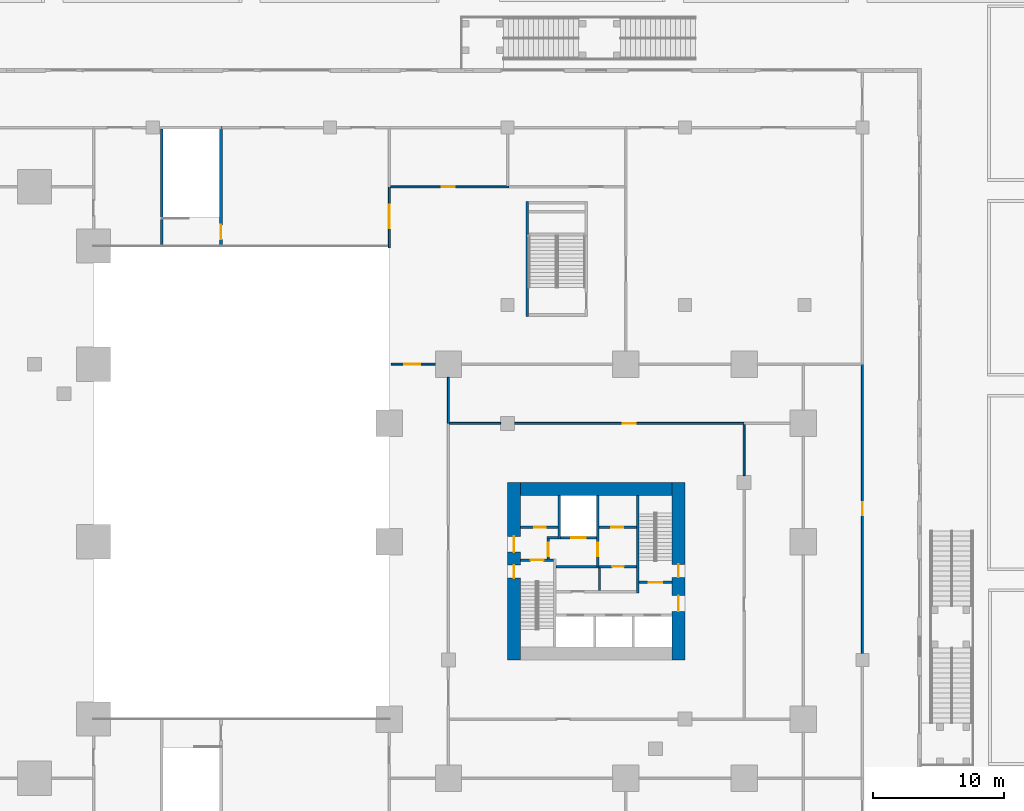
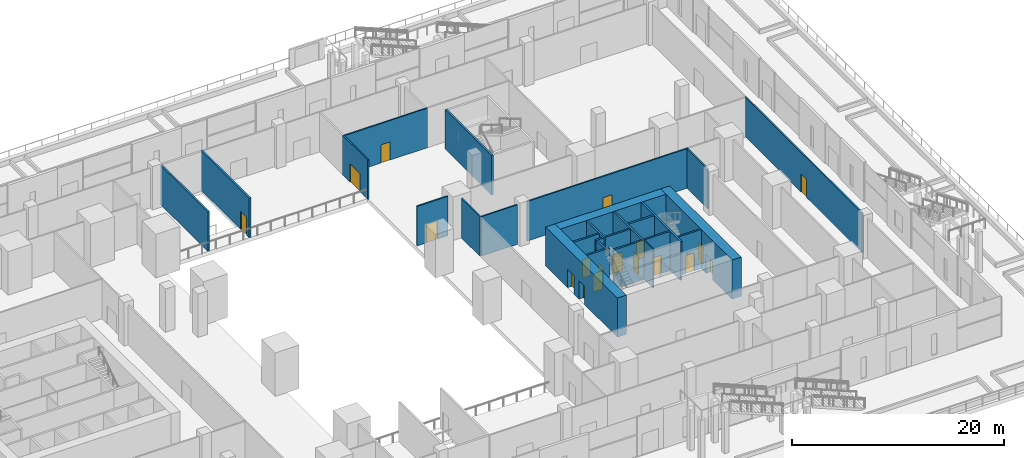
# One storey, part 36 of 49: 26 walls, 18 doors, 18 openings.
"""IFC4 building model written with IfcOpenShell, lengths in metres."""

from ifc_helpers import new_model, si_unit, direction, frame, frame_2d, origin, place, context, subcontext, project, spatial, rectangle, extrude, material, layer, layer_set, type_object, element, fill, save


model = new_model("IFC4")

# Units and contexts
model_context = context("Model", 3, precision=1e-05, world=origin(), true_north=direction((0.0, 1.0)))
body_context = subcontext(model_context, "Body", "Model", "MODEL_VIEW")
ifc_project = project(units=[si_unit("LENGTHUNIT", "METRE"), si_unit("AREAUNIT", "SQUARE_METRE"), si_unit("VOLUMEUNIT", "CUBIC_METRE"), si_unit("PLANEANGLEUNIT", "RADIAN"), si_unit("MASSUNIT", "GRAM", prefix="KILO")], contexts=[model_context])

# Site, building, storey
site_placement = place(None, origin())
site = spatial("IfcSite", under=ifc_project, at=site_placement, CompositionType="ELEMENT")
building_placement = place(site_placement, origin())
building = spatial("IfcBuilding", under=site, at=building_placement, Name="Altepetl Exchange Towers", CompositionType="ELEMENT")
storey_placement = place(building_placement, frame((0.0, 0.0, 11.5)))
storey = spatial("IfcBuildingStorey", under=building, at=storey_placement, Name="L02 Exchange podium", CompositionType="ELEMENT", Elevation=11.5)

# Wall, openings, doors
ifc_material_1 = material(Name="Concrete C70/85", Category="concrete")
ifc_layer_1 = layer(ifc_material_1, 1.0)
ifc_layer_set_1 = layer_set([ifc_layer_1], Name="Concrete C70/85")
wall_type_1 = type_object("IfcWallType", Name="Core wall 1000 reinforced concrete", PredefinedType="SHEAR", material=ifc_layer_set_1)
wall_1_placement = place(storey_placement, frame((116.5, 36.0, 0.0), z_axis=(0.0, 0.0, 1.0), x_axis=(0.0, 1.0, 0.0)))
wall_1 = element("IfcWall", 1, at=wall_1_placement, inside=storey, type_object=wall_type_1, Name="wall:B:L02:K-coreE", PredefinedType="SHEAR", context=body_context, shape_type="SweptSolid", body=[
    extrude(rectangle(XDim=13.5, YDim=1.0, at=frame_2d((6.75, 0.0))), origin(), (0.0, 0.0, 1.0), 4.5),
])
opening_1_placement = place(wall_1_placement, frame((3.699951171875, 0.0, 0.0)))
opening_1 = element("IfcOpeningElement", 2, at=opening_1_placement, cuts=wall_1, Name="Opening L02.B61", PredefinedType="OPENING", context=body_context, shape_type="SweptSolid", body=[
    extrude(rectangle(XDim=1.199951171875, YDim=2.10009765625, at=frame_2d((0.60009765625, 1.050048828125))), frame((0.0, 0.510009765625, 0.0), z_axis=(0.0, -1.0, 0.0), x_axis=(1.0, 0.0, 0.0)), (0.0, 0.0, 1.0), 1.02001953125),
])
opening_2_placement = place(wall_1_placement, frame((6.27490234375, 0.0, 0.0)))
opening_2 = element("IfcOpeningElement", 3, at=opening_2_placement, cuts=wall_1, Name="Opening L02.B65", PredefinedType="OPENING", context=body_context, shape_type="SweptSolid", body=[
    extrude(rectangle(XDim=1.0, YDim=2.10009765625, at=frame_2d((0.5, 1.050048828125))), frame((0.0, 0.510009765625, 0.0), z_axis=(0.0, -1.0, 0.0), x_axis=(1.0, 0.0, 0.0)), (0.0, 0.0, 1.0), 1.02001953125),
])
ifc_material_2 = material(Name="Steel and timber fire door", Category="steel")
door_type_1 = type_object("IfcDoorType", Name="Fire door 1000 x 2100 stair and lobby", OperationType="SINGLE_SWING_LEFT", PredefinedType="DOOR", material=ifc_material_2)
door_1_placement = place(opening_2_placement, origin())
door_1 = element("IfcDoor", 4, at=door_1_placement, inside=storey, type_object=door_type_1, Name="door:B:L02:K-dS2x", OperationType="SINGLE_SWING_LEFT", OverallHeight=2.10009765625, OverallWidth=1.0, PredefinedType="DOOR", context=body_context, shape_type="SweptSolid", body=[
    extrude(rectangle(XDim=1.0, YDim=2.10009765625, at=frame_2d((0.5, 1.050048828125))), frame((0.0, 0.02490234375, 0.0), z_axis=(0.0, -1.0, 0.0), x_axis=(1.0, 0.0, 0.0)), (0.0, 0.0, 1.0), 0.050048828125),
])
fill(opening_2, door_1)
door_type_2 = type_object("IfcDoorType", Name="Fire door 1200 x 2100 lobby entry", OperationType="SINGLE_SWING_LEFT", PredefinedType="DOOR", material=ifc_material_2)
door_2_placement = place(opening_1_placement, origin())
door_2 = element("IfcDoor", 5, at=door_2_placement, inside=storey, type_object=door_type_2, Name="door:B:L02:K-dLSE", OperationType="SINGLE_SWING_RIGHT", OverallHeight=2.10009765625, OverallWidth=1.199951171875, PredefinedType="DOOR", context=body_context, shape_type="SweptSolid", body=[
    extrude(rectangle(XDim=1.199951171875, YDim=2.10009765625, at=frame_2d((0.60009765625, 1.050048828125))), frame((0.0, 0.02490234375, 0.0), z_axis=(0.0, -1.0, 0.0), x_axis=(1.0, 0.0, 0.0)), (0.0, 0.0, 1.0), 0.050048828125),
])
fill(opening_1, door_2)

# Wall
wall_2_placement = place(storey_placement, frame((104.5, 49.0, 0.0)))
element("IfcWall", 6, at=wall_2_placement, inside=storey, type_object=wall_type_1, Name="wall:B:L02:K-coreN", PredefinedType="SHEAR", context=body_context, shape_type="SweptSolid", body=[
    extrude(rectangle(XDim=11.5, YDim=1.0, at=frame_2d((5.75, 0.0))), origin(), (0.0, 0.0, 1.0), 4.5),
])

# Wall, openings, doors
wall_3_placement = place(storey_placement, frame((104.0, 36.0, 0.0), z_axis=(0.0, 0.0, 1.0), x_axis=(0.0, 1.0, 0.0)))
wall_3 = element("IfcWall", 7, at=wall_3_placement, inside=storey, type_object=wall_type_1, Name="wall:B:L02:K-coreW", PredefinedType="SHEAR", context=body_context, shape_type="SweptSolid", body=[
    extrude(rectangle(XDim=13.5, YDim=1.0, at=frame_2d((6.75, 0.0))), origin(), (0.0, 0.0, 1.0), 4.5),
])
opening_3_placement = place(wall_3_placement, frame((8.199951171875, 0.0, 0.0)))
opening_3 = element("IfcOpeningElement", 8, at=opening_3_placement, cuts=wall_3, Name="Opening L02.B60", PredefinedType="OPENING", context=body_context, shape_type="SweptSolid", body=[
    extrude(rectangle(XDim=1.199951171875, YDim=2.10009765625, at=frame_2d((0.60009765625, 1.050048828125))), frame((0.0, 0.510009765625, 0.0), z_axis=(0.0, -1.0, 0.0), x_axis=(1.0, 0.0, 0.0)), (0.0, 0.0, 1.0), 1.02001953125),
])
opening_4_placement = place(wall_3_placement, frame((6.22509765625, 0.0, 0.0)))
opening_4 = element("IfcOpeningElement", 9, at=opening_4_placement, cuts=wall_3, Name="Opening L02.B63", PredefinedType="OPENING", context=body_context, shape_type="SweptSolid", body=[
    extrude(rectangle(XDim=1.0, YDim=2.10009765625, at=frame_2d((0.5, 1.050048828125))), frame((0.0, 0.510009765625, 0.0), z_axis=(0.0, -1.0, 0.0), x_axis=(1.0, 0.0, 0.0)), (0.0, 0.0, 1.0), 1.02001953125),
])
door_3_placement = place(opening_4_placement, frame((1.0, 0.0, 0.0), x_axis=(-1.0, 0.0, 0.0)))
door_3 = element("IfcDoor", 10, at=door_3_placement, inside=storey, type_object=door_type_1, Name="door:B:L02:K-dS1x", OperationType="SINGLE_SWING_RIGHT", OverallHeight=2.10009765625, OverallWidth=1.0, PredefinedType="DOOR", context=body_context, shape_type="SweptSolid", body=[
    extrude(rectangle(XDim=1.0, YDim=2.10009765625, at=frame_2d((0.5, 1.050048828125))), frame((0.0, 0.02490234375, 0.0), z_axis=(0.0, -1.0, 0.0), x_axis=(1.0, 0.0, 0.0)), (0.0, 0.0, 1.0), 0.050048828125),
])
fill(opening_4, door_3)
door_4_placement = place(opening_3_placement, frame((1.199951171875, 0.0, 0.0), x_axis=(-1.0, 0.0, 0.0)))
door_4 = element("IfcDoor", 11, at=door_4_placement, inside=storey, type_object=door_type_2, Name="door:B:L02:K-dLNW", OperationType="SINGLE_SWING_RIGHT", OverallHeight=2.10009765625, OverallWidth=1.199951171875, PredefinedType="DOOR", context=body_context, shape_type="SweptSolid", body=[
    extrude(rectangle(XDim=1.199951171875, YDim=2.10009765625, at=frame_2d((0.60009765625, 1.050048828125))), frame((0.0, 0.02490234375, 0.0), z_axis=(0.0, -1.0, 0.0), x_axis=(1.0, 0.0, 0.0)), (0.0, 0.0, 1.0), 0.050048828125),
])
fill(opening_3, door_4)

# Wall
ifc_material_3 = material(Name="Concrete blockwork", Category="masonry")
ifc_layer_2 = layer(ifc_material_3, 0.199951171875)
ifc_layer_set_2 = layer_set([ifc_layer_2], Name="Concrete blockwork")
wall_type_2 = type_object("IfcWallType", Name="Lobby wall 200 blockwork", PredefinedType="PARTITIONING", material=ifc_layer_set_2)
wall_4_placement = place(storey_placement, frame((106.5, 45.300048828125, 0.0)))
element("IfcWall", 12, at=wall_4_placement, inside=storey, type_object=wall_type_2, Name="wall:B:L02:K-ffNw", PredefinedType="PARTITIONING", context=body_context, shape_type="SweptSolid", body=[
    extrude(rectangle(XDim=0.833251953125, YDim=0.199951171875, at=frame_2d((0.41650390625, 0.0))), origin(), (0.0, 0.0, 1.0), 4.5),
])

# Wall, opening, door
wall_5_placement = place(storey_placement, frame((106.60009765625, 43.699951171875, 0.0), z_axis=(0.0, 0.0, 1.0), x_axis=(0.0, 1.0, 0.0)))
wall_5 = element("IfcWall", 13, at=wall_5_placement, inside=storey, type_object=wall_type_2, Name="wall:B:L02:K-ffW", PredefinedType="PARTITIONING", context=body_context, shape_type="SweptSolid", body=[
    extrude(rectangle(XDim=1.5, YDim=0.199951171875, at=frame_2d((0.75, 0.0))), origin(), (0.0, 0.0, 1.0), 4.5),
])
opening_5_placement = place(wall_5_placement, frame((0.199951171875, 0.0, 0.0)))
opening_5 = element("IfcOpeningElement", 14, at=opening_5_placement, cuts=wall_5, Name="Opening L02.B67", PredefinedType="OPENING", context=body_context, shape_type="SweptSolid", body=[
    extrude(rectangle(XDim=1.0, YDim=2.10009765625, at=frame_2d((0.5, 1.050048828125))), frame((0.0, 0.10986328125, 0.0), z_axis=(0.0, -1.0, 0.0), x_axis=(1.0, 0.0, 0.0)), (0.0, 0.0, 1.0), 0.219970703125),
])
door_5_placement = place(opening_5_placement, frame((1.0, 0.0, 0.0), x_axis=(-1.0, 0.0, 0.0)))
door_5 = element("IfcDoor", 15, at=door_5_placement, inside=storey, type_object=door_type_1, Name="door:B:L02:K-dffW", OperationType="SINGLE_SWING_LEFT", OverallHeight=2.10009765625, OverallWidth=1.0, PredefinedType="DOOR", context=body_context, shape_type="SweptSolid", body=[
    extrude(rectangle(XDim=1.0, YDim=2.10009765625, at=frame_2d((0.5, 1.050048828125))), frame((0.0, 0.02490234375, 0.0), z_axis=(0.0, -1.0, 0.0), x_axis=(1.0, 0.0, 0.0)), (0.0, 0.0, 1.0), 0.050048828125),
])
fill(opening_5, door_5)

wall_6_placement = place(storey_placement, frame((107.199951171875, 43.10009765625, 0.0)))
wall_6 = element("IfcWall", 16, at=wall_6_placement, inside=storey, type_object=wall_type_2, Name="wall:B:L02:K-zoneN", PredefinedType="PARTITIONING", context=body_context, shape_type="SweptSolid", body=[
    extrude(rectangle(XDim=6.10009765625, YDim=0.199951171875, at=frame_2d((3.050048828125, 0.0))), origin(), (0.0, 0.0, 1.0), 4.5),
])
opening_6_placement = place(wall_6_placement, frame((4.258544921875, 0.0, 0.0)))
opening_6 = element("IfcOpeningElement", 17, at=opening_6_placement, cuts=wall_6, Name="Opening L02.B71", PredefinedType="OPENING", context=body_context, shape_type="SweptSolid", body=[
    extrude(rectangle(XDim=0.89990234375, YDim=2.10009765625, at=frame_2d((0.449951171875, 1.050048828125))), frame((0.0, 0.10986328125, 0.0), z_axis=(0.0, -1.0, 0.0), x_axis=(1.0, 0.0, 0.0)), (0.0, 0.0, 1.0), 0.219970703125),
])
door_type_3 = type_object("IfcDoorType", Name="Fire door 900 x 2100 service room", OperationType="SINGLE_SWING_LEFT", PredefinedType="DOOR", material=ifc_material_2)
door_6_placement = place(opening_6_placement, frame((0.89990234375, 0.0, 0.0), x_axis=(-1.0, 0.0, 0.0)))
door_6 = element("IfcDoor", 18, at=door_6_placement, inside=storey, type_object=door_type_3, Name="door:B:L02:K-dz2", OperationType="SINGLE_SWING_LEFT", OverallHeight=2.10009765625, OverallWidth=0.89990234375, PredefinedType="DOOR", context=body_context, shape_type="SweptSolid", body=[
    extrude(rectangle(XDim=0.89990234375, YDim=2.10009765625, at=frame_2d((0.449951171875, 1.050048828125))), frame((0.0, 0.02490234375, 0.0), z_axis=(0.0, -1.0, 0.0), x_axis=(1.0, 0.0, 0.0)), (0.0, 0.0, 1.0), 0.050048828125),
])
fill(opening_6, door_6)

# Wall
ifc_material_4 = material(Name="Gypsum board on steel studs", Category="steel")
ifc_layer_3 = layer(ifc_material_4, 0.125)
ifc_layer_set_3 = layer_set([ifc_layer_3], Name="Gypsum board on steel studs")
wall_type_3 = type_object("IfcWallType", Name="Partition 125 gypsum board on steel studs", PredefinedType="PARTITIONING", material=ifc_layer_set_3)
wall_7_placement = place(storey_placement, frame((110.5, 41.300048828125, 0.0), z_axis=(0.0, 0.0, 1.0), x_axis=(0.0, 1.0, 0.0)))
element("IfcWall", 19, at=wall_7_placement, inside=storey, type_object=wall_type_3, Name="wall:B:L02:K-zp1", PredefinedType="PARTITIONING", context=body_context, shape_type="SweptSolid", body=[
    extrude(rectangle(XDim=1.699951171875, YDim=0.125, at=frame_2d((0.85009765625, 0.0))), origin(), (0.0, 0.0, 1.0), 4.5),
])

# Wall, opening, door
ifc_layer_4 = layer(ifc_material_4, 0.14990234375)
ifc_layer_set_4 = layer_set([ifc_layer_4], Name="Gypsum board on steel studs")
wall_type_4 = type_object("IfcWallType", Name="Podium partition 150", PredefinedType="PARTITIONING", material=ifc_layer_set_4)
wall_8_placement = place(storey_placement, frame((130.5, 36.4951171875, 0.0), z_axis=(0.0, 0.0, 1.0), x_axis=(0.0, 1.0, 0.0)))
wall_8 = element("IfcWall", 20, at=wall_8_placement, inside=storey, type_object=wall_type_4, Name="wall:P:L02:P012", PredefinedType="PARTITIONING", context=body_context, shape_type="SweptSolid", body=[
    extrude(rectangle(XDim=22.079833984375, YDim=0.14990234375, at=frame_2d((11.0400390625, 0.0))), origin(), (0.0, 0.0, 1.0), 4.550048828125),
])
opening_7_placement = place(wall_8_placement, frame((10.5, 0.0, 0.0)))
opening_7 = element("IfcOpeningElement", 21, at=opening_7_placement, cuts=wall_8, Name="Opening L02.P018", PredefinedType="OPENING", context=body_context, shape_type="SweptSolid", body=[
    extrude(rectangle(XDim=1.0, YDim=2.10009765625, at=frame_2d((0.5, 1.050048828125))), frame((0.0, 0.0849609375, 0.0), z_axis=(0.0, -1.0, 0.0), x_axis=(1.0, 0.0, 0.0)), (0.0, 0.0, 1.0), 0.169921875),
])
door_type_4 = type_object("IfcDoorType", Name="Podium fire door 1000 x 2100 single leaf", OperationType="SINGLE_SWING_LEFT", PredefinedType="DOOR", material=ifc_material_2)
door_7_placement = place(opening_7_placement, origin())
door_7 = element("IfcDoor", 22, at=door_7_placement, inside=storey, type_object=door_type_4, Name="door:P:L02:018", OperationType="SINGLE_SWING_RIGHT", OverallHeight=2.10009765625, OverallWidth=1.0, PredefinedType="DOOR", context=body_context, shape_type="SweptSolid", body=[
    extrude(rectangle(XDim=1.0, YDim=2.10009765625, at=frame_2d((0.5, 1.050048828125))), frame((0.0, 0.02490234375, 0.0), z_axis=(0.0, -1.0, 0.0), x_axis=(1.0, 0.0, 0.0)), (0.0, 0.0, 1.0), 0.050048828125),
])
fill(opening_7, door_7)

wall_9_placement = place(storey_placement, frame((94.5, 67.35009765625, 0.0), z_axis=(0.0, 0.0, 1.0), x_axis=(0.0, 1.0, 0.0)))
wall_9 = element("IfcWall", 23, at=wall_9_placement, inside=storey, type_object=wall_type_4, Name="wall:P:L02:P046", PredefinedType="PARTITIONING", context=body_context, shape_type="SweptSolid", body=[
    extrude(rectangle(XDim=4.724853515625, YDim=0.14990234375, at=frame_2d((2.3623046875, 0.0))), origin(), (0.0, 0.0, 1.0), 4.550048828125),
])
opening_8_placement = place(wall_9_placement, frame((1.5, 0.0, 0.0)))
opening_8 = element("IfcOpeningElement", 24, at=opening_8_placement, cuts=wall_9, Name="Opening L02.P039", PredefinedType="OPENING", context=body_context, shape_type="SweptSolid", body=[
    extrude(rectangle(XDim=1.800048828125, YDim=2.10009765625, at=frame_2d((0.89990234375, 1.050048828125))), frame((0.0, 0.0849609375, 0.0), z_axis=(0.0, -1.0, 0.0), x_axis=(1.0, 0.0, 0.0)), (0.0, 0.0, 1.0), 0.169921875),
])
ifc_material_5 = material(Name="Glazed aluminium and steel", Category="steel")
door_type_5 = type_object("IfcDoorType", Name="Podium fire door 1800 x 2100 double leaf", OperationType="DOUBLE_DOOR_SINGLE_SWING", PredefinedType="DOOR", material=ifc_material_5)
door_8_placement = place(opening_8_placement, origin())
door_8 = element("IfcDoor", 25, at=door_8_placement, inside=storey, type_object=door_type_5, Name="door:P:L02:039", OperationType="DOUBLE_DOOR_SINGLE_SWING", OverallHeight=2.10009765625, OverallWidth=1.800048828125, PredefinedType="DOOR", context=body_context, shape_type="SweptSolid", body=[
    extrude(rectangle(XDim=1.800048828125, YDim=2.10009765625, at=frame_2d((0.89990234375, 1.050048828125))), frame((0.0, 0.02490234375, 0.0), z_axis=(0.0, -1.0, 0.0), x_axis=(1.0, 0.0, 0.0)), (0.0, 0.0, 1.0), 0.050048828125),
])
fill(opening_8, door_8)

# Wall
wall_10_placement = place(storey_placement, frame((99.0, 54.0, 0.0), z_axis=(0.0, 0.0, 1.0), x_axis=(0.0, 1.0, 0.0)))
element("IfcWall", 26, at=wall_10_placement, inside=storey, type_object=wall_type_4, Name="wall:P:L02:P101", PredefinedType="PARTITIONING", context=body_context, shape_type="SweptSolid", body=[
    extrude(rectangle(XDim=3.5048828125, YDim=0.14990234375, at=frame_2d((1.75244140625, 0.0))), origin(), (0.0, 0.0, 1.0), 4.550048828125),
])

# Wall, opening, door
wall_11_placement = place(storey_placement, frame((94.64990234375, 58.5, 0.0)))
wall_11 = element("IfcWall", 27, at=wall_11_placement, inside=storey, type_object=wall_type_4, Name="wall:P:L02:P103", PredefinedType="PARTITIONING", context=body_context, shape_type="SweptSolid", body=[
    extrude(rectangle(XDim=3.35498046875, YDim=0.14990234375, at=frame_2d((1.677490234375, 0.0))), origin(), (0.0, 0.0, 1.0), 4.550048828125),
])
opening_9_placement = place(wall_11_placement, frame((1.0, 0.0, 0.0)))
opening_9 = element("IfcOpeningElement", 28, at=opening_9_placement, cuts=wall_11, Name="Opening L02.P046", PredefinedType="OPENING", context=body_context, shape_type="SweptSolid", body=[
    extrude(rectangle(XDim=1.199951171875, YDim=2.10009765625, at=frame_2d((0.60009765625, 1.050048828125))), frame((0.0, 0.0849609375, 0.0), z_axis=(0.0, -1.0, 0.0), x_axis=(1.0, 0.0, 0.0)), (0.0, 0.0, 1.0), 0.169921875),
])
ifc_material_6 = material(Name="Steel fire door", Category="steel")
door_type_6 = type_object("IfcDoorType", Name="Podium fire door 1200 x 2100 double leaf", OperationType="DOUBLE_DOOR_SINGLE_SWING", PredefinedType="DOOR", material=ifc_material_6)
door_9_placement = place(opening_9_placement, frame((1.199951171875, 0.0, 0.0), x_axis=(-1.0, 0.0, 0.0)))
door_9 = element("IfcDoor", 29, at=door_9_placement, inside=storey, type_object=door_type_6, Name="door:P:L02:046", OperationType="DOUBLE_DOOR_SINGLE_SWING", OverallHeight=2.10009765625, OverallWidth=1.199951171875, PredefinedType="DOOR", context=body_context, shape_type="SweptSolid", body=[
    extrude(rectangle(XDim=1.199951171875, YDim=2.10009765625, at=frame_2d((0.60009765625, 1.050048828125))), frame((0.0, 0.02490234375, 0.0), z_axis=(0.0, -1.0, 0.0), x_axis=(1.0, 0.0, 0.0)), (0.0, 0.0, 1.0), 0.050048828125),
])
fill(opening_9, door_9)

# Wall
wall_12_placement = place(storey_placement, frame((99.074951171875, 54.0, 0.0)))
element("IfcWall", 30, at=wall_12_placement, inside=storey, type_object=wall_type_4, Name="wall:P:L02:P106", PredefinedType="PARTITIONING", context=body_context, shape_type="SweptSolid", body=[
    extrude(rectangle(XDim=3.905029296875, YDim=0.14990234375, at=frame_2d((1.95263671875, 0.0))), origin(), (0.0, 0.0, 1.0), 4.550048828125),
])

# Wall, opening, door
wall_13_placement = place(storey_placement, frame((104.02001953125, 54.0, 0.0)))
wall_13 = element("IfcWall", 31, at=wall_13_placement, inside=storey, type_object=wall_type_4, Name="wall:P:L02:P107", PredefinedType="PARTITIONING", context=body_context, shape_type="SweptSolid", body=[
    extrude(rectangle(XDim=17.554931640625, YDim=0.14990234375, at=frame_2d((8.77734375, 0.0))), origin(), (0.0, 0.0, 1.0), 4.550048828125),
])
opening_10_placement = place(wall_13_placement, frame((8.25, 0.0, 0.0)))
opening_10 = element("IfcOpeningElement", 32, at=opening_10_placement, cuts=wall_13, Name="Opening L02.P014", PredefinedType="OPENING", context=body_context, shape_type="SweptSolid", body=[
    extrude(rectangle(XDim=1.0, YDim=2.10009765625, at=frame_2d((0.5, 1.050048828125))), frame((0.0, 0.0849609375, 0.0), z_axis=(0.0, -1.0, 0.0), x_axis=(1.0, 0.0, 0.0)), (0.0, 0.0, 1.0), 0.169921875),
])
door_10_placement = place(opening_10_placement, origin())
door_10 = element("IfcDoor", 33, at=door_10_placement, inside=storey, type_object=door_type_4, Name="door:P:L02:014", OperationType="SINGLE_SWING_RIGHT", OverallHeight=2.10009765625, OverallWidth=1.0, PredefinedType="DOOR", context=body_context, shape_type="SweptSolid", body=[
    extrude(rectangle(XDim=1.0, YDim=2.10009765625, at=frame_2d((0.5, 1.050048828125))), frame((0.0, 0.02490234375, 0.0), z_axis=(0.0, -1.0, 0.0), x_axis=(1.0, 0.0, 0.0)), (0.0, 0.0, 1.0), 0.050048828125),
])
fill(opening_10, door_10)

# Wall
wall_14_placement = place(storey_placement, frame((121.5, 50.02001953125, 0.0), z_axis=(0.0, 0.0, 1.0), x_axis=(0.0, 1.0, 0.0)))
element("IfcWall", 34, at=wall_14_placement, inside=storey, type_object=wall_type_4, Name="wall:P:L02:P109", PredefinedType="PARTITIONING", context=body_context, shape_type="SweptSolid", body=[
    extrude(rectangle(XDim=3.905029296875, YDim=0.14990234375, at=frame_2d((1.95263671875, 0.0))), origin(), (0.0, 0.0, 1.0), 4.550048828125),
])

# Wall, opening, door
wall_15_placement = place(storey_placement, frame((94.574951171875, 72.0, 0.0)))
wall_15 = element("IfcWall", 35, at=wall_15_placement, inside=storey, type_object=wall_type_4, Name="wall:P:L02:P126", PredefinedType="PARTITIONING", context=body_context, shape_type="SweptSolid", body=[
    extrude(rectangle(XDim=9.0, YDim=0.14990234375, at=frame_2d((4.5, 0.0))), origin(), (0.0, 0.0, 1.0), 4.550048828125),
])
opening_11_placement = place(wall_15_placement, frame((3.925048828125, 0.0, 0.0)))
opening_11 = element("IfcOpeningElement", 36, at=opening_11_placement, cuts=wall_15, Name="Opening L02.P019", PredefinedType="OPENING", context=body_context, shape_type="SweptSolid", body=[
    extrude(rectangle(XDim=1.0, YDim=2.10009765625, at=frame_2d((0.5, 1.050048828125))), frame((0.0, 0.0849609375, 0.0), z_axis=(0.0, -1.0, 0.0), x_axis=(1.0, 0.0, 0.0)), (0.0, 0.0, 1.0), 0.169921875),
])
door_11_placement = place(opening_11_placement, origin())
door_11 = element("IfcDoor", 37, at=door_11_placement, inside=storey, type_object=door_type_4, Name="door:P:L02:019", OperationType="SINGLE_SWING_RIGHT", OverallHeight=2.10009765625, OverallWidth=1.0, PredefinedType="DOOR", context=body_context, shape_type="SweptSolid", body=[
    extrude(rectangle(XDim=1.0, YDim=2.10009765625, at=frame_2d((0.5, 1.050048828125))), frame((0.0, 0.02490234375, 0.0), z_axis=(0.0, -1.0, 0.0), x_axis=(1.0, 0.0, 0.0)), (0.0, 0.0, 1.0), 0.050048828125),
])
fill(opening_11, door_11)

# Wall
ifc_material_7 = material(Name="Concrete C40/50", Category="concrete")
ifc_layer_5 = layer(ifc_material_7, 0.199951171875)
ifc_layer_set_5 = layer_set([ifc_layer_5], Name="Concrete C40/50")
wall_type_5 = type_object("IfcWallType", Name="Shaft wall 200 reinforced concrete", PredefinedType="SHEAR", material=ifc_layer_set_5)
wall_16_placement = place(storey_placement, frame((107.433349609375, 48.5, 0.0), z_axis=(0.0, 0.0, 1.0), x_axis=(0.0, -1.0, 0.0)))
element("IfcWall", 38, at=wall_16_placement, inside=storey, type_object=wall_type_5, Name="wall:B:L02:K-divN1", PredefinedType="SHEAR", context=body_context, shape_type="SweptSolid", body=[
    extrude(rectangle(XDim=3.300048828125, YDim=0.199951171875, at=frame_2d((1.64990234375, 0.0))), origin(), (0.0, 0.0, 1.0), 4.5),
])

# Wall, opening, door
wall_17_placement = place(storey_placement, frame((110.36669921875, 48.5, 0.0), z_axis=(0.0, 0.0, 1.0), x_axis=(0.0, -1.0, 0.0)))
wall_17 = element("IfcWall", 39, at=wall_17_placement, inside=storey, type_object=wall_type_5, Name="wall:B:L02:K-divN2", PredefinedType="SHEAR", context=body_context, shape_type="SweptSolid", body=[
    extrude(rectangle(XDim=5.39990234375, YDim=0.199951171875, at=frame_2d((2.699951171875, 0.0))), origin(), (0.0, 0.0, 1.0), 4.5),
])
opening_12_placement = place(wall_17_placement, frame((3.60009765625, 0.0, 0.0)))
opening_12 = element("IfcOpeningElement", 40, at=opening_12_placement, cuts=wall_17, Name="Opening L02.B66", PredefinedType="OPENING", context=body_context, shape_type="SweptSolid", body=[
    extrude(rectangle(XDim=1.0, YDim=2.10009765625, at=frame_2d((0.5, 1.050048828125))), frame((0.0, 0.10986328125, 0.0), z_axis=(0.0, -1.0, 0.0), x_axis=(1.0, 0.0, 0.0)), (0.0, 0.0, 1.0), 0.219970703125),
])
door_12_placement = place(opening_12_placement, frame((1.0, 0.0, 0.0), x_axis=(-1.0, 0.0, 0.0)))
door_12 = element("IfcDoor", 41, at=door_12_placement, inside=storey, type_object=door_type_1, Name="door:B:L02:K-dffE", OperationType="SINGLE_SWING_RIGHT", OverallHeight=2.10009765625, OverallWidth=1.0, PredefinedType="DOOR", context=body_context, shape_type="SweptSolid", body=[
    extrude(rectangle(XDim=1.0, YDim=2.10009765625, at=frame_2d((0.5, 1.050048828125))), frame((0.0, 0.02490234375, 0.0), z_axis=(0.0, -1.0, 0.0), x_axis=(1.0, 0.0, 0.0)), (0.0, 0.0, 1.0), 0.050048828125),
])
fill(opening_12, door_12)

wall_18_placement = place(storey_placement, frame((104.5, 46.10009765625, 0.0)))
wall_18 = element("IfcWall", 42, at=wall_18_placement, inside=storey, type_object=wall_type_5, Name="wall:B:L02:K-frontNa", PredefinedType="SHEAR", context=body_context, shape_type="SweptSolid", body=[
    extrude(rectangle(XDim=2.833251953125, YDim=0.199951171875, at=frame_2d((1.41650390625, 0.0))), origin(), (0.0, 0.0, 1.0), 4.5),
])
opening_13_placement = place(wall_18_placement, frame((1.0166015625, 0.0, 0.0)))
opening_13 = element("IfcOpeningElement", 43, at=opening_13_placement, cuts=wall_18, Name="Opening L02.B68", PredefinedType="OPENING", context=body_context, shape_type="SweptSolid", body=[
    extrude(rectangle(XDim=0.89990234375, YDim=2.10009765625, at=frame_2d((0.449951171875, 1.050048828125))), frame((0.0, 0.10986328125, 0.0), z_axis=(0.0, -1.0, 0.0), x_axis=(1.0, 0.0, 0.0)), (0.0, 0.0, 1.0), 0.219970703125),
])
door_13_placement = place(opening_13_placement, origin())
door_13 = element("IfcDoor", 44, at=door_13_placement, inside=storey, type_object=door_type_3, Name="door:B:L02:K-dslotN0", OperationType="SINGLE_SWING_RIGHT", OverallHeight=2.10009765625, OverallWidth=0.89990234375, PredefinedType="DOOR", context=body_context, shape_type="SweptSolid", body=[
    extrude(rectangle(XDim=0.89990234375, YDim=2.10009765625, at=frame_2d((0.449951171875, 1.050048828125))), frame((0.0, 0.02490234375, 0.0), z_axis=(0.0, -1.0, 0.0), x_axis=(1.0, 0.0, 0.0)), (0.0, 0.0, 1.0), 0.050048828125),
])
fill(opening_13, door_13)

wall_19_placement = place(storey_placement, frame((110.466796875, 46.10009765625, 0.0)))
wall_19 = element("IfcWall", 45, at=wall_19_placement, inside=storey, type_object=wall_type_5, Name="wall:B:L02:K-frontNb", PredefinedType="SHEAR", context=body_context, shape_type="SweptSolid", body=[
    extrude(rectangle(XDim=2.833251953125, YDim=0.199951171875, at=frame_2d((1.41650390625, 0.0))), origin(), (0.0, 0.0, 1.0), 4.5),
])
opening_14_placement = place(wall_19_placement, frame((0.91650390625, 0.0, 0.0)))
opening_14 = element("IfcOpeningElement", 46, at=opening_14_placement, cuts=wall_19, Name="Opening L02.B69", PredefinedType="OPENING", context=body_context, shape_type="SweptSolid", body=[
    extrude(rectangle(XDim=0.89990234375, YDim=2.10009765625, at=frame_2d((0.449951171875, 1.050048828125))), frame((0.0, 0.10986328125, 0.0), z_axis=(0.0, -1.0, 0.0), x_axis=(1.0, 0.0, 0.0)), (0.0, 0.0, 1.0), 0.219970703125),
])
door_14_placement = place(opening_14_placement, origin())
door_14 = element("IfcDoor", 47, at=door_14_placement, inside=storey, type_object=door_type_3, Name="door:B:L02:K-dslotN2", OperationType="SINGLE_SWING_RIGHT", OverallHeight=2.10009765625, OverallWidth=0.89990234375, PredefinedType="DOOR", context=body_context, shape_type="SweptSolid", body=[
    extrude(rectangle(XDim=0.89990234375, YDim=2.10009765625, at=frame_2d((0.449951171875, 1.050048828125))), frame((0.0, 0.02490234375, 0.0), z_axis=(0.0, -1.0, 0.0), x_axis=(1.0, 0.0, 0.0)), (0.0, 0.0, 1.0), 0.050048828125),
])
fill(opening_14, door_14)

wall_20_placement = place(storey_placement, frame((107.533203125, 45.300048828125, 0.0)))
wall_20 = element("IfcWall", 48, at=wall_20_placement, inside=storey, type_object=wall_type_5, Name="wall:B:L02:K-frontNd", PredefinedType="SHEAR", context=body_context, shape_type="SweptSolid", body=[
    extrude(rectangle(XDim=2.7333984375, YDim=0.199951171875, at=frame_2d((1.36669921875, 0.0))), origin(), (0.0, 0.0, 1.0), 4.5),
])
opening_15_placement = place(wall_20_placement, frame((0.816650390625, 0.0, 0.0)))
opening_15 = element("IfcOpeningElement", 49, at=opening_15_placement, cuts=wall_20, Name="Opening L02.B72", PredefinedType="OPENING", context=body_context, shape_type="SweptSolid", body=[
    extrude(rectangle(XDim=1.10009765625, YDim=2.10009765625, at=frame_2d((0.550048828125, 1.050048828125))), frame((0.0, 0.10986328125, 0.0), z_axis=(0.0, -1.0, 0.0), x_axis=(1.0, 0.0, 0.0)), (0.0, 0.0, 1.0), 0.219970703125),
])
ifc_material_8 = material(Name="Stainless steel", Category="steel")
door_type_7 = type_object("IfcDoorType", Name="Lift landing door 1100 x 2100", OperationType="SLIDING_TO_LEFT", PredefinedType="DOOR", material=ifc_material_8)
door_15_placement = place(opening_15_placement, origin())
door_15 = element("IfcDoor", 50, at=door_15_placement, inside=storey, type_object=door_type_7, Name="Landing door FFL1", OperationType="SLIDING_TO_LEFT", OverallHeight=2.10009765625, OverallWidth=1.10009765625, PredefinedType="DOOR", context=body_context, shape_type="SweptSolid", body=[
    extrude(rectangle(XDim=1.10009765625, YDim=2.10009765625, at=frame_2d((0.550048828125, 1.050048828125))), frame((0.0, 0.02490234375, 0.0), z_axis=(0.0, -1.0, 0.0), x_axis=(1.0, 0.0, 0.0)), (0.0, 0.0, 1.0), 0.050048828125),
])
fill(opening_15, door_15)

ifc_material_9 = material(Name="Reinforced concrete C35/45", Category="concrete")
ifc_layer_6 = layer(ifc_material_9, 0.199951171875)
ifc_layer_set_6 = layer_set([ifc_layer_6], Name="Reinforced concrete C35/45")
wall_type_6 = type_object("IfcWallType", Name="Stair enclosure wall 200", PredefinedType="SOLIDWALL", material=ifc_layer_set_6)
wall_21_placement = place(storey_placement, frame((81.699951171875, 67.5, 0.0), z_axis=(0.0, 0.0, 1.0), x_axis=(0.0, 1.0, 0.0)))
wall_21 = element("IfcWall", 51, at=wall_21_placement, inside=storey, type_object=wall_type_6, Name="wall:P:L02:P048", PredefinedType="SOLIDWALL", context=body_context, shape_type="SweptSolid", body=[
    extrude(rectangle(XDim=9.074951171875, YDim=0.199951171875, at=frame_2d((4.53759765625, 0.0))), origin(), (0.0, 0.0, 1.0), 4.550048828125),
])
opening_16_placement = place(wall_21_placement, frame((0.5, 0.0, 0.0)))
opening_16 = element("IfcOpeningElement", 52, at=opening_16_placement, cuts=wall_21, Name="Opening L02.P023", PredefinedType="OPENING", context=body_context, shape_type="SweptSolid", body=[
    extrude(rectangle(XDim=1.10009765625, YDim=2.10009765625, at=frame_2d((0.550048828125, 1.050048828125))), frame((0.0, 0.10986328125, 0.0), z_axis=(0.0, -1.0, 0.0), x_axis=(1.0, 0.0, 0.0)), (0.0, 0.0, 1.0), 0.219970703125),
])
door_type_8 = type_object("IfcDoorType", Name="Podium fire door 1100 x 2100 single leaf", OperationType="SINGLE_SWING_LEFT", PredefinedType="DOOR", material=ifc_material_6)
door_16_placement = place(opening_16_placement, origin())
door_16 = element("IfcDoor", 53, at=door_16_placement, inside=storey, type_object=door_type_8, Name="door:P:L02:023", OperationType="SINGLE_SWING_RIGHT", OverallHeight=2.10009765625, OverallWidth=1.10009765625, PredefinedType="DOOR", context=body_context, shape_type="SweptSolid", body=[
    extrude(rectangle(XDim=1.10009765625, YDim=2.10009765625, at=frame_2d((0.550048828125, 1.050048828125))), frame((0.0, 0.02490234375, 0.0), z_axis=(0.0, -1.0, 0.0), x_axis=(1.0, 0.0, 0.0)), (0.0, 0.0, 1.0), 0.050048828125),
])
fill(opening_16, door_16)

# Walls
wall_22_placement = place(storey_placement, frame((105.0, 62.14990234375, 0.0), z_axis=(0.0, 0.0, 1.0), x_axis=(0.0, 1.0, 0.0)))
element("IfcWall", 54, at=wall_22_placement, inside=storey, type_object=wall_type_6, Name="wall:P:L02:P129", PredefinedType="SOLIDWALL", context=body_context, shape_type="SweptSolid", body=[
    extrude(rectangle(XDim=8.75, YDim=0.199951171875, at=frame_2d((4.375, 0.0))), origin(), (0.0, 0.0, 1.0), 4.550048828125),
])
wall_23_placement = place(storey_placement, frame((77.199951171875, 67.5, 0.0), z_axis=(0.0, 0.0, 1.0), x_axis=(0.0, 1.0, 0.0)))
element("IfcWall", 55, at=wall_23_placement, inside=storey, type_object=wall_type_6, Name="wall:P:L02:P136", PredefinedType="SOLIDWALL", context=body_context, shape_type="SweptSolid", body=[
    extrude(rectangle(XDim=8.89990234375, YDim=0.199951171875, at=frame_2d((4.449951171875, 0.0))), origin(), (0.0, 0.0, 1.0), 4.550048828125),
])

# Wall, opening, door
ifc_layer_7 = layer(ifc_material_7, 0.199951171875)
ifc_layer_set_7 = layer_set([ifc_layer_7], Name="Concrete C40/50")
wall_type_7 = type_object("IfcWallType", Name="Stair wall 200 reinforced concrete", PredefinedType="SHEAR", material=ifc_layer_set_7)
wall_24_placement = place(storey_placement, frame((104.5, 43.60009765625, 0.0)))
wall_24 = element("IfcWall", 56, at=wall_24_placement, inside=storey, type_object=wall_type_7, Name="wall:B:L02:K-stS1N", PredefinedType="SHEAR", context=body_context, shape_type="SweptSolid", body=[
    extrude(rectangle(XDim=2.5, YDim=0.199951171875, at=frame_2d((1.25, 0.0))), origin(), (0.0, 0.0, 1.0), 4.5),
])
opening_17_placement = place(wall_24_placement, frame((0.75, 0.0, 0.0)))
opening_17 = element("IfcOpeningElement", 57, at=opening_17_placement, cuts=wall_24, Name="Opening L02.B62", PredefinedType="OPENING", context=body_context, shape_type="SweptSolid", body=[
    extrude(rectangle(XDim=1.0, YDim=2.10009765625, at=frame_2d((0.5, 1.050048828125))), frame((0.0, 0.10986328125, 0.0), z_axis=(0.0, -1.0, 0.0), x_axis=(1.0, 0.0, 0.0)), (0.0, 0.0, 1.0), 0.219970703125),
])
door_17_placement = place(opening_17_placement, frame((1.0, 0.0, 0.0), x_axis=(-1.0, 0.0, 0.0)))
door_17 = element("IfcDoor", 58, at=door_17_placement, inside=storey, type_object=door_type_1, Name="door:B:L02:K-dS1in", OperationType="SINGLE_SWING_LEFT", OverallHeight=2.10009765625, OverallWidth=1.0, PredefinedType="DOOR", context=body_context, shape_type="SweptSolid", body=[
    extrude(rectangle(XDim=1.0, YDim=2.10009765625, at=frame_2d((0.5, 1.050048828125))), frame((0.0, 0.02490234375, 0.0), z_axis=(0.0, -1.0, 0.0), x_axis=(1.0, 0.0, 0.0)), (0.0, 0.0, 1.0), 0.050048828125),
])
fill(opening_17, door_17)

wall_25_placement = place(storey_placement, frame((113.5, 41.89990234375, 0.0)))
wall_25 = element("IfcWall", 59, at=wall_25_placement, inside=storey, type_object=wall_type_7, Name="wall:B:L02:K-stS2S", PredefinedType="SHEAR", context=body_context, shape_type="SweptSolid", body=[
    extrude(rectangle(XDim=2.5, YDim=0.199951171875, at=frame_2d((1.25, 0.0))), origin(), (0.0, 0.0, 1.0), 4.5),
])
opening_18_placement = place(wall_25_placement, frame((0.75, 0.0, 0.0)))
opening_18 = element("IfcOpeningElement", 60, at=opening_18_placement, cuts=wall_25, Name="Opening L02.B64", PredefinedType="OPENING", context=body_context, shape_type="SweptSolid", body=[
    extrude(rectangle(XDim=1.0, YDim=2.10009765625, at=frame_2d((0.5, 1.050048828125))), frame((0.0, 0.10986328125, 0.0), z_axis=(0.0, -1.0, 0.0), x_axis=(1.0, 0.0, 0.0)), (0.0, 0.0, 1.0), 0.219970703125),
])
door_18_placement = place(opening_18_placement, origin())
door_18 = element("IfcDoor", 61, at=door_18_placement, inside=storey, type_object=door_type_1, Name="door:B:L02:K-dS2in", OperationType="SINGLE_SWING_RIGHT", OverallHeight=2.10009765625, OverallWidth=1.0, PredefinedType="DOOR", context=body_context, shape_type="SweptSolid", body=[
    extrude(rectangle(XDim=1.0, YDim=2.10009765625, at=frame_2d((0.5, 1.050048828125))), frame((0.0, 0.02490234375, 0.0), z_axis=(0.0, -1.0, 0.0), x_axis=(1.0, 0.0, 0.0)), (0.0, 0.0, 1.0), 0.050048828125),
])
fill(opening_18, door_18)

# Wall
wall_26_placement = place(storey_placement, frame((113.39990234375, 41.10009765625, 0.0), z_axis=(0.0, 0.0, 1.0), x_axis=(0.0, 1.0, 0.0)))
element("IfcWall", 62, at=wall_26_placement, inside=storey, type_object=wall_type_7, Name="wall:B:L02:K-stS2W", PredefinedType="SHEAR", context=body_context, shape_type="SweptSolid", body=[
    extrude(rectangle(XDim=7.39990234375, YDim=0.199951171875, at=frame_2d((3.699951171875, 0.0))), origin(), (0.0, 0.0, 1.0), 4.5),
])

save(model, "model.ifc")
